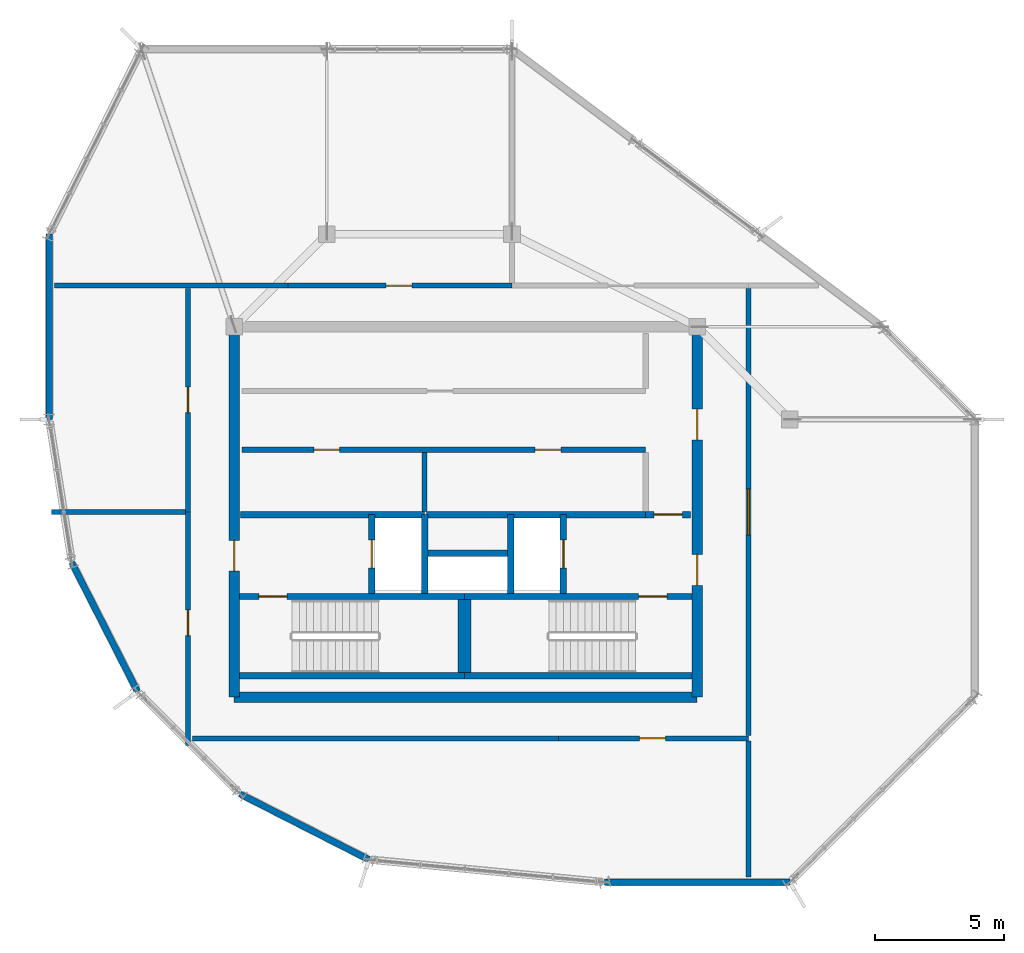
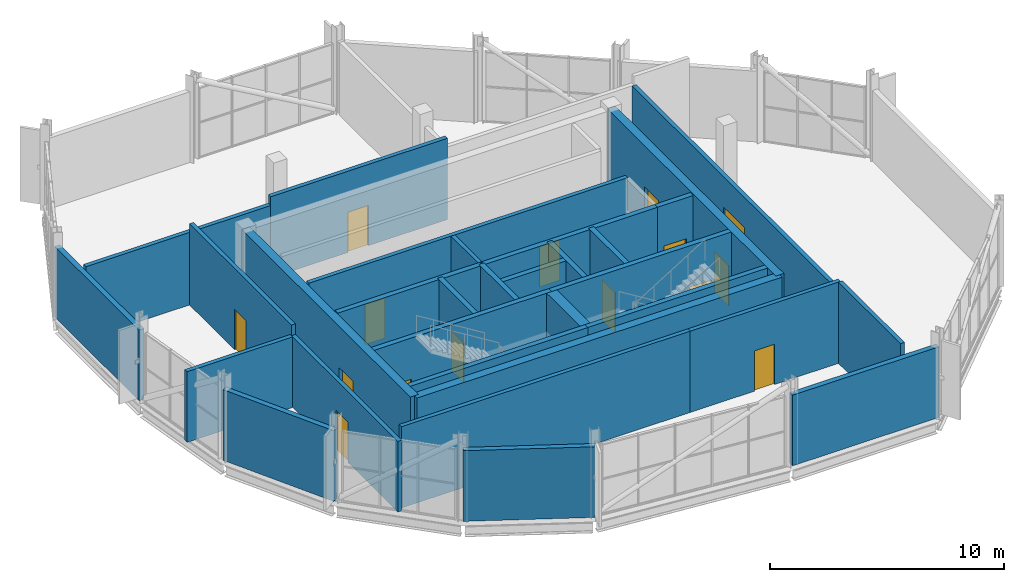
# One storey, part 19 of 22: 31 walls, 15 doors, 15 openings.
"""IFC4 building model written with IfcOpenShell, lengths in metres."""

from ifc_helpers import new_model, si_unit, direction, frame, frame_2d, origin, place, context, subcontext, project, spatial, rectangle, extrude, material, layer, layer_set, type_object, element, fill, save


model = new_model("IFC4")

# Units and contexts
model_context = context("Model", 3, precision=1e-05, world=origin(), true_north=direction((0.0, 1.0)))
body_context = subcontext(model_context, "Body", "Model", "MODEL_VIEW")
ifc_project = project(units=[si_unit("LENGTHUNIT", "METRE"), si_unit("AREAUNIT", "SQUARE_METRE"), si_unit("VOLUMEUNIT", "CUBIC_METRE"), si_unit("PLANEANGLEUNIT", "RADIAN"), si_unit("MASSUNIT", "GRAM", prefix="KILO")], contexts=[model_context])

# Site, building, storey
site_placement = place(None, origin())
site = spatial("IfcSite", under=ifc_project, at=site_placement, CompositionType="ELEMENT")
building_placement = place(site_placement, origin())
building = spatial("IfcBuilding", under=site, at=building_placement, Name="Solnavia Interchange Tower", CompositionType="ELEMENT")
storey_placement = place(building_placement, frame((0.0, 0.0, 317.699951171875)))
storey = spatial("IfcBuildingStorey", under=building, at=storey_placement, Name="C04", CompositionType="ELEMENT", Elevation=317.699951171875)

# Walls
ifc_material_1 = material(Name="Concrete C40/50", Category="concrete")
ifc_layer_1 = layer(ifc_material_1, 0.25)
ifc_layer_set_1 = layer_set([ifc_layer_1], Name="Concrete C40/50")
wall_type_1 = type_object("IfcWallType", Name="Wall-ExtSpandrel-250", PredefinedType="STANDARD", material=ifc_layer_set_1)
wall_1_placement = place(storey_placement, frame((7.199951171875, 28.800048828125, 0.0), z_axis=(0.0, 0.0, 1.0), x_axis=(0.0, -1.0, 0.0)))
element("IfcWall", 1, at=wall_1_placement, inside=storey, type_object=wall_type_1, Name="EXW-C04-R08 Crown ring facade panel", PredefinedType="STANDARD", context=body_context, shape_type="SweptSolid", body=[
    extrude(rectangle(XDim=7.199951171875, YDim=0.25, at=frame_2d((3.60009765625, 0.0))), origin(), (0.0, 0.0, 1.0), 3.679931640625),
])
for number, where, z_axis, x_axis, name in (
    (2, (8.0810546875, 16.0380859375, 0.0), (0.0, 0.0, 1.0), (0.453997861418, -0.891002773187, 0.0), "EXW-C04-R10 Crown ring facade panel"),
    (3, (14.6201171875, 7.0380859375, 0.0), (0.0, 0.0, 1.0), (0.890976300863, -0.454049811475, 0.0), "EXW-C04-R12 Crown ring facade panel"),
):
    element("IfcWall", number, at=place(storey_placement, frame(where, z_axis=z_axis, x_axis=x_axis)), inside=storey, type_object=wall_type_1, Name=name, PredefinedType="STANDARD", context=body_context, shape_type="SweptSolid", body=[
        extrude(rectangle(XDim=5.6318359375, YDim=0.25, at=frame_2d((2.81591796875, 0.0))), origin(), (0.0, 0.0, 1.0), 3.679931640625),
    ])
wall_2_placement = place(storey_placement, frame((28.800048828125, 3.60009765625, 0.0), z_axis=(0.0, 0.0, 1.0), x_axis=(1.0, 0.0, 0.0)))
element("IfcWall", 4, at=wall_2_placement, inside=storey, type_object=wall_type_1, Name="EXW-C04-R14 Crown ring facade panel", PredefinedType="STANDARD", context=body_context, shape_type="SweptSolid", body=[
    extrude(rectangle(XDim=7.199951171875, YDim=0.25, at=frame_2d((3.60009765625, 0.0))), origin(), (0.0, 0.0, 1.0), 3.679931640625),
])

# Wall, openings, doors
ifc_layer_2 = layer(ifc_material_1, 0.199951171875)
ifc_layer_set_2 = layer_set([ifc_layer_2], Name="Concrete C40/50")
wall_type_2 = type_object("IfcWallType", Name="Wall-PlantFire-200", PredefinedType="PARTITIONING", material=ifc_layer_set_2)
wall_3_placement = place(storey_placement, frame((14.699951171875, 20.419921875, 0.0), z_axis=(0.0, 0.0, 1.0), x_axis=(1.0, 0.0, 0.0)))
wall_3 = element("IfcWall", 5, at=wall_3_placement, inside=storey, type_object=wall_type_2, Name="CSW-C04-CR1 Core shaft wall", PredefinedType="PARTITIONING", context=body_context, shape_type="SweptSolid", body=[
    extrude(rectangle(XDim=15.699951171875, YDim=0.199951171875, at=frame_2d((7.85009765625, 0.0))), origin(), (0.0, 0.0, 1.0), 4.235107421875),
])
opening_1_placement = place(wall_3_placement, frame((2.800048828125, 0.0, 0.0)))
opening_1 = element("IfcOpeningElement", 6, at=opening_1_placement, cuts=wall_3, Name="Opening DR-04", PredefinedType="OPENING", context=body_context, shape_type="SweptSolid", body=[
    extrude(rectangle(XDim=1.0, YDim=2.10009765625, at=frame_2d((0.5, 1.050048828125))), frame((0.0, 0.10986328125, 0.0), z_axis=(0.0, -1.0, 0.0), x_axis=(1.0, 0.0, 0.0)), (0.0, 0.0, 1.0), 0.219970703125),
])
opening_2_placement = place(wall_3_placement, frame((11.39990234375, 0.0, 0.0)))
opening_2 = element("IfcOpeningElement", 7, at=opening_2_placement, cuts=wall_3, Name="Opening DR-04", PredefinedType="OPENING", context=body_context, shape_type="SweptSolid", body=[
    extrude(rectangle(XDim=1.0, YDim=2.10009765625, at=frame_2d((0.5, 1.050048828125))), frame((0.0, 0.10986328125, 0.0), z_axis=(0.0, -1.0, 0.0), x_axis=(1.0, 0.0, 0.0)), (0.0, 0.0, 1.0), 0.219970703125),
])
ifc_material_2 = material(Name="Steel Fire-Rated Plant Door", Category="steel")
door_type_1 = type_object("IfcDoorType", Name="Door-PlantFire-1000x2100", OperationType="SINGLE_SWING_LEFT", PredefinedType="DOOR", material=ifc_material_2)
door_1_placement = place(opening_1_placement, origin())
door_1 = element("IfcDoor", 8, at=door_1_placement, inside=storey, type_object=door_type_1, Name="DR-C04-CR1 Core fire door", OperationType="SINGLE_SWING_LEFT", OverallHeight=2.10009765625, OverallWidth=1.0, PredefinedType="DOOR", context=body_context, shape_type="SweptSolid", body=[
    extrude(rectangle(XDim=1.0, YDim=2.10009765625, at=frame_2d((0.5, 1.050048828125))), frame((0.0, 0.02490234375, 0.0), z_axis=(0.0, -1.0, 0.0), x_axis=(1.0, 0.0, 0.0)), (0.0, 0.0, 1.0), 0.050048828125),
])
fill(opening_1, door_1)
door_2_placement = place(opening_2_placement, origin())
door_2 = element("IfcDoor", 9, at=door_2_placement, inside=storey, type_object=door_type_1, Name="DR-C04-CR2 Core fire door", OperationType="SINGLE_SWING_RIGHT", OverallHeight=2.10009765625, OverallWidth=1.0, PredefinedType="DOOR", context=body_context, shape_type="SweptSolid", body=[
    extrude(rectangle(XDim=1.0, YDim=2.10009765625, at=frame_2d((0.5, 1.050048828125))), frame((0.0, 0.02490234375, 0.0), z_axis=(0.0, -1.0, 0.0), x_axis=(1.0, 0.0, 0.0)), (0.0, 0.0, 1.0), 0.050048828125),
])
fill(opening_2, door_2)

# Wall
wall_4_placement = place(storey_placement, frame((21.800048828125, 18.02001953125, 0.0), z_axis=(0.0, 0.0, 1.0), x_axis=(0.0, 1.0, 0.0)))
element("IfcWall", 10, at=wall_4_placement, inside=storey, type_object=wall_type_2, Name="CSW-C04-CR3 Core shaft wall", PredefinedType="PARTITIONING", context=body_context, shape_type="SweptSolid", body=[
    extrude(rectangle(XDim=2.300048828125, YDim=0.199951171875, at=frame_2d((1.14990234375, 0.0))), origin(), (0.0, 0.0, 1.0), 4.235107421875),
])

# Wall, opening, door
wall_5_placement = place(storey_placement, frame((16.5, 26.800048828125, 0.0), z_axis=(0.0, 0.0, 1.0), x_axis=(1.0, 0.0, 0.0)))
wall_5 = element("IfcWall", 11, at=wall_5_placement, inside=storey, type_object=wall_type_2, Name="PTW-C04-01 Interior partition wall", PredefinedType="PARTITIONING", context=body_context, shape_type="SweptSolid", body=[
    extrude(rectangle(XDim=8.699951171875, YDim=0.199951171875, at=frame_2d((4.35009765625, 0.0))), origin(), (0.0, 0.0, 1.0), 4.235107421875),
])
opening_3_placement = place(wall_5_placement, frame((3.81005859375, 0.0, 0.0)))
opening_3 = element("IfcOpeningElement", 12, at=opening_3_placement, cuts=wall_5, Name="Opening DR-04", PredefinedType="OPENING", context=body_context, shape_type="SweptSolid", body=[
    extrude(rectangle(XDim=1.0, YDim=2.10009765625, at=frame_2d((0.5, 1.050048828125))), frame((0.0, 0.10986328125, 0.0), z_axis=(0.0, -1.0, 0.0), x_axis=(1.0, 0.0, 0.0)), (0.0, 0.0, 1.0), 0.219970703125),
])
door_3_placement = place(opening_3_placement, origin())
door_3 = element("IfcDoor", 13, at=door_3_placement, inside=storey, type_object=door_type_1, Name="DR-C04-01 Interior room door", OperationType="SINGLE_SWING_LEFT", OverallHeight=2.10009765625, OverallWidth=1.0, PredefinedType="DOOR", context=body_context, shape_type="SweptSolid", body=[
    extrude(rectangle(XDim=1.0, YDim=2.10009765625, at=frame_2d((0.5, 1.050048828125))), frame((0.0, 0.02490234375, 0.0), z_axis=(0.0, -1.0, 0.0), x_axis=(1.0, 0.0, 0.0)), (0.0, 0.0, 1.0), 0.050048828125),
])
fill(opening_3, door_3)

# Wall
wall_6_placement = place(storey_placement, frame((7.405029296875, 26.800048828125, 0.0), z_axis=(0.0, 0.0, 1.0), x_axis=(1.0, 0.0, 0.0)))
element("IfcWall", 14, at=wall_6_placement, inside=storey, type_object=wall_type_2, Name="PTW-C04-03 Interior partition wall", PredefinedType="PARTITIONING", context=body_context, shape_type="SweptSolid", body=[
    extrude(rectangle(XDim=9.094970703125, YDim=0.199951171875, at=frame_2d((4.54736328125, 0.0))), origin(), (0.0, 0.0, 1.0), 3.780029296875),
])

# Wall, opening, door
wall_7_placement = place(storey_placement, frame((12.60009765625, 8.916015625, 0.0), z_axis=(0.0, 0.0, 1.0), x_axis=(0.0, 1.0, 0.0)))
wall_7 = element("IfcWall", 15, at=wall_7_placement, inside=storey, type_object=wall_type_2, Name="PTW-C04-06 Interior partition wall", PredefinedType="PARTITIONING", context=body_context, shape_type="SweptSolid", body=[
    extrude(rectangle(XDim=9.083984375, YDim=0.199951171875, at=frame_2d((4.5419921875, 0.0))), origin(), (0.0, 0.0, 1.0), 3.679931640625),
])
opening_4_placement = place(wall_7_placement, frame((4.281005859375, 0.0, 0.0)))
opening_4 = element("IfcOpeningElement", 16, at=opening_4_placement, cuts=wall_7, Name="Opening DR-04", PredefinedType="OPENING", context=body_context, shape_type="SweptSolid", body=[
    extrude(rectangle(XDim=1.0, YDim=2.10009765625, at=frame_2d((0.5, 1.050048828125))), frame((0.0, 0.10986328125, 0.0), z_axis=(0.0, -1.0, 0.0), x_axis=(1.0, 0.0, 0.0)), (0.0, 0.0, 1.0), 0.219970703125),
])
door_4_placement = place(opening_4_placement, origin())
door_4 = element("IfcDoor", 17, at=door_4_placement, inside=storey, type_object=door_type_1, Name="DR-C04-03 Interior room door", OperationType="SINGLE_SWING_LEFT", OverallHeight=2.10009765625, OverallWidth=1.0, PredefinedType="DOOR", context=body_context, shape_type="SweptSolid", body=[
    extrude(rectangle(XDim=1.0, YDim=2.10009765625, at=frame_2d((0.5, 1.050048828125))), frame((0.0, 0.02490234375, 0.0), z_axis=(0.0, -1.0, 0.0), x_axis=(1.0, 0.0, 0.0)), (0.0, 0.0, 1.0), 0.050048828125),
])
fill(opening_4, door_4)

# Wall
wall_8_placement = place(storey_placement, frame((12.49609375, 18.0, 0.0), z_axis=(0.0, 0.0, 1.0), x_axis=(-1.0, 0.0, 0.0)))
element("IfcWall", 18, at=wall_8_placement, inside=storey, type_object=wall_type_2, Name="PTW-C04-07 Interior partition wall", PredefinedType="PARTITIONING", context=body_context, shape_type="SweptSolid", body=[
    extrude(rectangle(XDim=5.196044921875, YDim=0.199951171875, at=frame_2d((2.59814453125, 0.0))), origin(), (0.0, 0.0, 1.0), 3.679931640625),
])

# Wall, opening, door
wall_9_placement = place(storey_placement, frame((12.60009765625, 18.0, 0.0), z_axis=(0.0, 0.0, 1.0), x_axis=(0.0, 1.0, 0.0)))
wall_9 = element("IfcWall", 19, at=wall_9_placement, inside=storey, type_object=wall_type_2, Name="PTW-C04-08 Interior partition wall", PredefinedType="PARTITIONING", context=body_context, shape_type="SweptSolid", body=[
    extrude(rectangle(XDim=8.696044921875, YDim=0.199951171875, at=frame_2d((4.34814453125, 0.0))), origin(), (0.0, 0.0, 1.0), 4.235107421875),
])
opening_5_placement = place(wall_9_placement, frame((3.860107421875, 0.0, 0.0)))
opening_5 = element("IfcOpeningElement", 20, at=opening_5_placement, cuts=wall_9, Name="Opening DR-04", PredefinedType="OPENING", context=body_context, shape_type="SweptSolid", body=[
    extrude(rectangle(XDim=1.0, YDim=2.10009765625, at=frame_2d((0.5, 1.050048828125))), frame((0.0, 0.10986328125, 0.0), z_axis=(0.0, -1.0, 0.0), x_axis=(1.0, 0.0, 0.0)), (0.0, 0.0, 1.0), 0.219970703125),
])
door_5_placement = place(opening_5_placement, origin())
door_5 = element("IfcDoor", 21, at=door_5_placement, inside=storey, type_object=door_type_1, Name="DR-C04-04 Interior room door", OperationType="SINGLE_SWING_RIGHT", OverallHeight=2.10009765625, OverallWidth=1.0, PredefinedType="DOOR", context=body_context, shape_type="SweptSolid", body=[
    extrude(rectangle(XDim=1.0, YDim=2.10009765625, at=frame_2d((0.5, 1.050048828125))), frame((0.0, 0.02490234375, 0.0), z_axis=(0.0, -1.0, 0.0), x_axis=(1.0, 0.0, 0.0)), (0.0, 0.0, 1.0), 0.050048828125),
])
fill(opening_5, door_5)

# Wall
wall_10_placement = place(storey_placement, frame((12.780029296875, 9.199951171875, 0.0), z_axis=(0.0, 0.0, 1.0), x_axis=(1.0, 0.0, 0.0)))
element("IfcWall", 22, at=wall_10_placement, inside=storey, type_object=wall_type_2, Name="PTW-C04-09 Interior partition wall", PredefinedType="PARTITIONING", context=body_context, shape_type="SweptSolid", body=[
    extrude(rectangle(XDim=14.219970703125, YDim=0.199951171875, at=frame_2d((7.10986328125, 0.0))), origin(), (0.0, 0.0, 1.0), 4.235107421875),
])

# Wall, opening, door
wall_11_placement = place(storey_placement, frame((27.0, 9.199951171875, 0.0), z_axis=(0.0, 0.0, 1.0), x_axis=(1.0, 0.0, 0.0)))
wall_11 = element("IfcWall", 23, at=wall_11_placement, inside=storey, type_object=wall_type_2, Name="PTW-C04-10 Interior partition wall", PredefinedType="PARTITIONING", context=body_context, shape_type="SweptSolid", body=[
    extrude(rectangle(XDim=7.39990234375, YDim=0.199951171875, at=frame_2d((3.699951171875, 0.0))), origin(), (0.0, 0.0, 1.0), 4.235107421875),
])
opening_6_placement = place(wall_11_placement, frame((3.159912109375, 0.0, 0.0)))
opening_6 = element("IfcOpeningElement", 24, at=opening_6_placement, cuts=wall_11, Name="Opening DR-04", PredefinedType="OPENING", context=body_context, shape_type="SweptSolid", body=[
    extrude(rectangle(XDim=1.0, YDim=2.10009765625, at=frame_2d((0.5, 1.050048828125))), frame((0.0, 0.10986328125, 0.0), z_axis=(0.0, -1.0, 0.0), x_axis=(1.0, 0.0, 0.0)), (0.0, 0.0, 1.0), 0.219970703125),
])
door_6_placement = place(opening_6_placement, origin())
door_6 = element("IfcDoor", 25, at=door_6_placement, inside=storey, type_object=door_type_1, Name="DR-C04-05 Interior room door", OperationType="SINGLE_SWING_RIGHT", OverallHeight=2.10009765625, OverallWidth=1.0, PredefinedType="DOOR", context=body_context, shape_type="SweptSolid", body=[
    extrude(rectangle(XDim=1.0, YDim=2.10009765625, at=frame_2d((0.5, 1.050048828125))), frame((0.0, 0.02490234375, 0.0), z_axis=(0.0, -1.0, 0.0), x_axis=(1.0, 0.0, 0.0)), (0.0, 0.0, 1.0), 0.050048828125),
])
fill(opening_6, door_6)

# Wall
wall_12_placement = place(storey_placement, frame((34.39990234375, 3.804931640625, 0.0), z_axis=(0.0, 0.0, 1.0), x_axis=(0.0, 1.0, 0.0)))
element("IfcWall", 26, at=wall_12_placement, inside=storey, type_object=wall_type_2, Name="PTW-C04-11 Interior partition wall", PredefinedType="PARTITIONING", context=body_context, shape_type="SweptSolid", body=[
    extrude(rectangle(XDim=5.291015625, YDim=0.199951171875, at=frame_2d((2.6455078125, 0.0))), origin(), (0.0, 0.0, 1.0), 4.235107421875),
])

# Wall, opening, door
wall_13_placement = place(storey_placement, frame((34.39990234375, 9.303955078125, 0.0), z_axis=(0.0, 0.0, 1.0), x_axis=(0.0, 1.0, 0.0)))
wall_13 = element("IfcWall", 27, at=wall_13_placement, inside=storey, type_object=wall_type_2, Name="PTW-C04-12 Interior partition wall", PredefinedType="PARTITIONING", context=body_context, shape_type="SweptSolid", body=[
    extrude(rectangle(XDim=17.39208984375, YDim=0.199951171875, at=frame_2d((8.696044921875, 0.0))), origin(), (0.0, 0.0, 1.0), 3.780029296875),
])
opening_7_placement = place(wall_13_placement, frame((7.7958984375, 0.0, 0.0)))
opening_7 = element("IfcOpeningElement", 28, at=opening_7_placement, cuts=wall_13, Name="Opening DR-05", PredefinedType="OPENING", context=body_context, shape_type="SweptSolid", body=[
    extrude(rectangle(XDim=1.800048828125, YDim=2.199951171875, at=frame_2d((0.89990234375, 1.10009765625))), frame((0.0, 0.10986328125, 0.0), z_axis=(0.0, -1.0, 0.0), x_axis=(1.0, 0.0, 0.0)), (0.0, 0.0, 1.0), 0.219970703125),
])
ifc_material_3 = material(Name="Steel Double Fire Door", Category="steel")
door_type_2 = type_object("IfcDoorType", Name="Door-PlantDouble-1800x2200", OperationType="DOUBLE_DOOR_SINGLE_SWING", PredefinedType="DOOR", material=ifc_material_3)
door_7_placement = place(opening_7_placement, origin())
door_7 = element("IfcDoor", 29, at=door_7_placement, inside=storey, type_object=door_type_2, Name="DR-C04-06 Interior room door", OperationType="DOUBLE_DOOR_SINGLE_SWING", OverallHeight=2.199951171875, OverallWidth=1.800048828125, PredefinedType="DOOR", context=body_context, shape_type="SweptSolid", body=[
    extrude(rectangle(XDim=1.800048828125, YDim=2.199951171875, at=frame_2d((0.89990234375, 1.10009765625))), frame((0.0, 0.02490234375, 0.0), z_axis=(0.0, -1.0, 0.0), x_axis=(1.0, 0.0, 0.0)), (0.0, 0.0, 1.0), 0.050048828125),
])
fill(opening_7, door_7)

# Wall
ifc_layer_3 = layer(ifc_material_1, 0.25)
ifc_layer_set_3 = layer_set([ifc_layer_3], Name="Concrete C40/50")
wall_type_3 = type_object("IfcWallType", Name="Wall-ShaftCore-250", PredefinedType="SHEAR", material=ifc_layer_set_3)
wall_14_placement = place(storey_placement, frame((14.60009765625, 11.625, 0.0), z_axis=(0.0, 0.0, 1.0), x_axis=(1.0, 0.0, 0.0)))
element("IfcWall", 30, at=wall_14_placement, inside=storey, type_object=wall_type_3, Name="SHW-C04-ST1S Core shear wall", PredefinedType="SHEAR", context=body_context, shape_type="SweptSolid", body=[
    extrude(rectangle(XDim=8.75, YDim=0.25, at=frame_2d((4.375, 0.0))), origin(), (0.0, 0.0, 1.0), 4.25),
])

# Wall, opening, door
wall_15_placement = place(storey_placement, frame((14.60009765625, 14.715087890625, 0.0), z_axis=(0.0, 0.0, 1.0), x_axis=(1.0, 0.0, 0.0)))
wall_15 = element("IfcWall", 31, at=wall_15_placement, inside=storey, type_object=wall_type_3, Name="SHW-C04-ST1N Core shear wall", PredefinedType="SHEAR", context=body_context, shape_type="SweptSolid", body=[
    extrude(rectangle(XDim=8.75, YDim=0.25, at=frame_2d((4.375, 0.0))), origin(), (0.0, 0.0, 1.0), 4.25),
])
opening_8_placement = place(wall_15_placement, frame((0.7548828125, 0.0, 0.0)))
opening_8 = element("IfcOpeningElement", 32, at=opening_8_placement, cuts=wall_15, Name="Opening DR-01", PredefinedType="OPENING", context=body_context, shape_type="SweptSolid", body=[
    extrude(rectangle(XDim=1.10009765625, YDim=2.10009765625, at=frame_2d((0.550048828125, 1.050048828125))), frame((0.0, 0.135009765625, 0.0), z_axis=(0.0, -1.0, 0.0), x_axis=(1.0, 0.0, 0.0)), (0.0, 0.0, 1.0), 0.27001953125),
])
ifc_material_4 = material(Name="Steel Fire-Rated Leaf & Frame", Category="steel")
door_type_3 = type_object("IfcDoorType", Name="Door-StairFire-1100x2100", OperationType="SINGLE_SWING_LEFT", PredefinedType="DOOR", material=ifc_material_4)
door_8_placement = place(opening_8_placement, origin())
door_8 = element("IfcDoor", 33, at=door_8_placement, inside=storey, type_object=door_type_3, Name="DR-C04-ST1 Core fire door", OperationType="SINGLE_SWING_LEFT", OverallHeight=2.10009765625, OverallWidth=1.10009765625, PredefinedType="DOOR", context=body_context, shape_type="SweptSolid", body=[
    extrude(rectangle(XDim=1.10009765625, YDim=2.10009765625, at=frame_2d((0.550048828125, 1.050048828125))), frame((0.0, 0.02490234375, 0.0), z_axis=(0.0, -1.0, 0.0), x_axis=(1.0, 0.0, 0.0)), (0.0, 0.0, 1.0), 0.050048828125),
])
fill(opening_8, door_8)

# Wall
wall_16_placement = place(storey_placement, frame((23.35009765625, 11.625, 0.0), z_axis=(0.0, 0.0, 1.0), x_axis=(1.0, 0.0, 0.0)))
element("IfcWall", 34, at=wall_16_placement, inside=storey, type_object=wall_type_3, Name="SHW-C04-ST2S Core shear wall", PredefinedType="SHEAR", context=body_context, shape_type="SweptSolid", body=[
    extrude(rectangle(XDim=8.849853515625, YDim=0.25, at=frame_2d((4.4248046875, 0.0))), origin(), (0.0, 0.0, 1.0), 4.25),
])

# Wall, opening, door
wall_17_placement = place(storey_placement, frame((23.35009765625, 14.715087890625, 0.0), z_axis=(0.0, 0.0, 1.0), x_axis=(1.0, 0.0, 0.0)))
wall_17 = element("IfcWall", 35, at=wall_17_placement, inside=storey, type_object=wall_type_3, Name="SHW-C04-ST2N Core shear wall", PredefinedType="SHEAR", context=body_context, shape_type="SweptSolid", body=[
    extrude(rectangle(XDim=8.849853515625, YDim=0.25, at=frame_2d((4.4248046875, 0.0))), origin(), (0.0, 0.0, 1.0), 4.25),
])
opening_9_placement = place(wall_17_placement, frame((6.77490234375, 0.0, 0.0)))
opening_9 = element("IfcOpeningElement", 36, at=opening_9_placement, cuts=wall_17, Name="Opening DR-01", PredefinedType="OPENING", context=body_context, shape_type="SweptSolid", body=[
    extrude(rectangle(XDim=1.10009765625, YDim=2.10009765625, at=frame_2d((0.550048828125, 1.050048828125))), frame((0.0, 0.135009765625, 0.0), z_axis=(0.0, -1.0, 0.0), x_axis=(1.0, 0.0, 0.0)), (0.0, 0.0, 1.0), 0.27001953125),
])
door_9_placement = place(opening_9_placement, origin())
door_9 = element("IfcDoor", 37, at=door_9_placement, inside=storey, type_object=door_type_3, Name="DR-C04-ST2 Core fire door", OperationType="SINGLE_SWING_LEFT", OverallHeight=2.10009765625, OverallWidth=1.10009765625, PredefinedType="DOOR", context=body_context, shape_type="SweptSolid", body=[
    extrude(rectangle(XDim=1.10009765625, YDim=2.10009765625, at=frame_2d((0.550048828125, 1.050048828125))), frame((0.0, 0.02490234375, 0.0), z_axis=(0.0, -1.0, 0.0), x_axis=(1.0, 0.0, 0.0)), (0.0, 0.0, 1.0), 0.050048828125),
])
fill(opening_9, door_9)

# Wall
ifc_layer_4 = layer(ifc_material_1, 0.25)
ifc_layer_set_4 = layer_set([ifc_layer_4], Name="Concrete C40/50")
wall_type_4 = type_object("IfcWallType", Name="Wall-ShaftPart-250", PredefinedType="PARTITIONING", material=ifc_layer_set_4)
wall_18_placement = place(storey_placement, frame((14.64990234375, 17.89990234375, 0.0), z_axis=(0.0, 0.0, 1.0), x_axis=(1.0, 0.0, 0.0)))
element("IfcWall", 38, at=wall_18_placement, inside=storey, type_object=wall_type_4, Name="SHW-C04-FFLW-N Core shaft wall", PredefinedType="PARTITIONING", context=body_context, shape_type="SweptSolid", body=[
    extrude(rectangle(XDim=7.150146484375, YDim=0.25, at=frame_2d((3.5751953125, 0.0))), origin(), (0.0, 0.0, 1.0), 4.235107421875),
])

# Wall, opening, door
wall_19_placement = place(storey_placement, frame((19.75, 14.840087890625, 0.0), z_axis=(0.0, 0.0, 1.0), x_axis=(0.0, 1.0, 0.0)))
wall_19 = element("IfcWall", 39, at=wall_19_placement, inside=storey, type_object=wall_type_4, Name="SHW-C04-FFL1-W Core shaft wall", PredefinedType="PARTITIONING", context=body_context, shape_type="SweptSolid", body=[
    extrude(rectangle(XDim=3.059814453125, YDim=0.25, at=frame_2d((1.52978515625, 0.0))), origin(), (0.0, 0.0, 1.0), 4.235107421875),
])
opening_10_placement = place(wall_19_placement, frame((0.97998046875, 0.0, 0.0)))
opening_10 = element("IfcOpeningElement", 40, at=opening_10_placement, cuts=wall_19, Name="Opening LD-01", PredefinedType="OPENING", context=body_context, shape_type="SweptSolid", body=[
    extrude(rectangle(XDim=1.10009765625, YDim=2.10009765625, at=frame_2d((0.550048828125, 1.050048828125))), frame((0.0, 0.135009765625, 0.0), z_axis=(0.0, -1.0, 0.0), x_axis=(1.0, 0.0, 0.0)), (0.0, 0.0, 1.0), 0.27001953125),
])
ifc_material_5 = material(Name="Brushed Stainless Steel Sliding Door", Category="steel")
door_type_4 = type_object("IfcDoorType", Name="Door-LiftLanding-1100x2100", OperationType="SLIDING_TO_LEFT", PredefinedType="DOOR", material=ifc_material_5)
door_10_placement = place(opening_10_placement, origin())
door_10 = element("IfcDoor", 41, at=door_10_placement, inside=storey, type_object=door_type_4, Name="LD-C04-FFL1 Lift landing sliding door", OperationType="SLIDING_TO_LEFT", OverallHeight=2.10009765625, OverallWidth=1.10009765625, PredefinedType="DOOR", context=body_context, shape_type="SweptSolid", body=[
    extrude(rectangle(XDim=1.10009765625, YDim=2.10009765625, at=frame_2d((0.550048828125, 1.050048828125))), frame((0.0, 0.02490234375, 0.0), z_axis=(0.0, -1.0, 0.0), x_axis=(1.0, 0.0, 0.0)), (0.0, 0.0, 1.0), 0.050048828125),
])
fill(opening_10, door_10)

# Walls
wall_20_placement = place(storey_placement, frame((21.800048828125, 14.840087890625, 0.0), z_axis=(0.0, 0.0, 1.0), x_axis=(0.0, 1.0, 0.0)))
element("IfcWall", 42, at=wall_20_placement, inside=storey, type_object=wall_type_4, Name="SHW-C04-FFL1-E Core shaft wall", PredefinedType="PARTITIONING", context=body_context, shape_type="SweptSolid", body=[
    extrude(rectangle(XDim=3.059814453125, YDim=0.25, at=frame_2d((1.52978515625, 0.0))), origin(), (0.0, 0.0, 1.0), 4.235107421875),
])
wall_21_placement = place(storey_placement, frame((21.8798828125, 17.89990234375, 0.0), z_axis=(0.0, 0.0, 1.0), x_axis=(1.0, 0.0, 0.0)))
element("IfcWall", 43, at=wall_21_placement, inside=storey, type_object=wall_type_4, Name="SHW-C04-FFLE-N1 Core shaft wall", PredefinedType="PARTITIONING", context=body_context, shape_type="SweptSolid", body=[
    extrude(rectangle(XDim=8.52001953125, YDim=0.25, at=frame_2d((4.260009765625, 0.0))), origin(), (0.0, 0.0, 1.0), 4.235107421875),
])

# Wall, opening, door
wall_22_placement = place(storey_placement, frame((30.39990234375, 17.89990234375, 0.0), z_axis=(0.0, 0.0, 1.0), x_axis=(1.0, 0.0, 0.0)))
wall_22 = element("IfcWall", 44, at=wall_22_placement, inside=storey, type_object=wall_type_4, Name="SHW-C04-FFLE-N2 Core shaft wall", PredefinedType="PARTITIONING", context=body_context, shape_type="SweptSolid", body=[
    extrude(rectangle(XDim=1.75, YDim=0.25, at=frame_2d((0.875, 0.0))), origin(), (0.0, 0.0, 1.0), 4.235107421875),
])
opening_11_placement = place(wall_22_placement, frame((0.320068359375, 0.0, 0.0)))
opening_11 = element("IfcOpeningElement", 45, at=opening_11_placement, cuts=wall_22, Name="Opening DR-01", PredefinedType="OPENING", context=body_context, shape_type="SweptSolid", body=[
    extrude(rectangle(XDim=1.10009765625, YDim=2.10009765625, at=frame_2d((0.550048828125, 1.050048828125))), frame((0.0, 0.135009765625, 0.0), z_axis=(0.0, -1.0, 0.0), x_axis=(1.0, 0.0, 0.0)), (0.0, 0.0, 1.0), 0.27001953125),
])
door_11_placement = place(opening_11_placement, origin())
door_11 = element("IfcDoor", 46, at=door_11_placement, inside=storey, type_object=door_type_3, Name="DR-C04-LLC Core fire door", OperationType="SINGLE_SWING_LEFT", OverallHeight=2.10009765625, OverallWidth=1.10009765625, PredefinedType="DOOR", context=body_context, shape_type="SweptSolid", body=[
    extrude(rectangle(XDim=1.10009765625, YDim=2.10009765625, at=frame_2d((0.550048828125, 1.050048828125))), frame((0.0, 0.02490234375, 0.0), z_axis=(0.0, -1.0, 0.0), x_axis=(1.0, 0.0, 0.0)), (0.0, 0.0, 1.0), 0.050048828125),
])
fill(opening_11, door_11)

# Wall
wall_23_placement = place(storey_placement, frame((25.14990234375, 14.840087890625, 0.0), z_axis=(0.0, 0.0, 1.0), x_axis=(0.0, 1.0, 0.0)))
element("IfcWall", 47, at=wall_23_placement, inside=storey, type_object=wall_type_4, Name="SHW-C04-FFL2-W Core shaft wall", PredefinedType="PARTITIONING", context=body_context, shape_type="SweptSolid", body=[
    extrude(rectangle(XDim=3.059814453125, YDim=0.25, at=frame_2d((1.52978515625, 0.0))), origin(), (0.0, 0.0, 1.0), 4.235107421875),
])

# Wall, opening, door
wall_24_placement = place(storey_placement, frame((27.199951171875, 14.840087890625, 0.0), z_axis=(0.0, 0.0, 1.0), x_axis=(0.0, 1.0, 0.0)))
wall_24 = element("IfcWall", 48, at=wall_24_placement, inside=storey, type_object=wall_type_4, Name="SHW-C04-FFL2-E Core shaft wall", PredefinedType="PARTITIONING", context=body_context, shape_type="SweptSolid", body=[
    extrude(rectangle(XDim=3.059814453125, YDim=0.25, at=frame_2d((1.52978515625, 0.0))), origin(), (0.0, 0.0, 1.0), 4.235107421875),
])
opening_12_placement = place(wall_24_placement, frame((0.97998046875, 0.0, 0.0)))
opening_12 = element("IfcOpeningElement", 49, at=opening_12_placement, cuts=wall_24, Name="Opening LD-01", PredefinedType="OPENING", context=body_context, shape_type="SweptSolid", body=[
    extrude(rectangle(XDim=1.10009765625, YDim=2.10009765625, at=frame_2d((0.550048828125, 1.050048828125))), frame((0.0, 0.135009765625, 0.0), z_axis=(0.0, -1.0, 0.0), x_axis=(1.0, 0.0, 0.0)), (0.0, 0.0, 1.0), 0.27001953125),
])
door_12_placement = place(opening_12_placement, origin())
door_12 = element("IfcDoor", 50, at=door_12_placement, inside=storey, type_object=door_type_4, Name="LD-C04-FFL2 Lift landing sliding door", OperationType="SLIDING_TO_LEFT", OverallHeight=2.10009765625, OverallWidth=1.10009765625, PredefinedType="DOOR", context=body_context, shape_type="SweptSolid", body=[
    extrude(rectangle(XDim=1.10009765625, YDim=2.10009765625, at=frame_2d((0.550048828125, 1.050048828125))), frame((0.0, 0.02490234375, 0.0), z_axis=(0.0, -1.0, 0.0), x_axis=(1.0, 0.0, 0.0)), (0.0, 0.0, 1.0), 0.050048828125),
])
fill(opening_12, door_12)

# Walls
wall_25_placement = place(storey_placement, frame((21.800048828125, 16.39990234375, 0.0), z_axis=(0.0, 0.0, 1.0), x_axis=(1.0, 0.0, 0.0)))
element("IfcWall", 51, at=wall_25_placement, inside=storey, type_object=wall_type_4, Name="SHW-C04-MEP-N Core shaft wall", PredefinedType="PARTITIONING", context=body_context, shape_type="SweptSolid", body=[
    extrude(rectangle(XDim=3.349853515625, YDim=0.25, at=frame_2d((1.6748046875, 0.0))), origin(), (0.0, 0.0, 1.0), 4.235107421875),
])
ifc_material_6 = material(Name="Concrete C50/60", Category="concrete")
ifc_layer_5 = layer(ifc_material_6, 0.39990234375)
ifc_layer_set_5 = layer_set([ifc_layer_5], Name="Concrete C50/60")
wall_type_5 = type_object("IfcWallType", Name="Wall-ShearCore-400", PredefinedType="SHEAR", material=ifc_layer_set_5)
wall_26_placement = place(storey_placement, frame((14.39990234375, 10.800048828125, 0.0), z_axis=(0.0, 0.0, 1.0), x_axis=(1.0, 0.0, 0.0)))
element("IfcWall", 52, at=wall_26_placement, inside=storey, type_object=wall_type_5, Name="CRW-C04-S Core shear wall", PredefinedType="SHEAR", context=body_context, shape_type="SweptSolid", body=[
    extrude(rectangle(XDim=18.0, YDim=0.39990234375, at=frame_2d((9.0, 0.0))), origin(), (0.0, 0.0, 1.0), 4.25),
])

# Wall, opening, door
wall_27_placement = place(storey_placement, frame((14.39990234375, 10.800048828125, 0.0), z_axis=(0.0, 0.0, 1.0), x_axis=(0.0, 1.0, 0.0)))
wall_27 = element("IfcWall", 53, at=wall_27_placement, inside=storey, type_object=wall_type_5, Name="CRW-C04-W Core shear wall", PredefinedType="SHEAR", context=body_context, shape_type="SweptSolid", body=[
    extrude(rectangle(XDim=14.39990234375, YDim=0.39990234375, at=frame_2d((7.199951171875, 0.0))), origin(), (0.0, 0.0, 1.0), 4.25),
])
opening_13_placement = place(wall_27_placement, frame((4.89990234375, 0.0, 0.0)))
opening_13 = element("IfcOpeningElement", 54, at=opening_13_placement, cuts=wall_27, Name="Opening DR-02", PredefinedType="OPENING", context=body_context, shape_type="SweptSolid", body=[
    extrude(rectangle(XDim=1.199951171875, YDim=2.10009765625, at=frame_2d((0.60009765625, 1.050048828125))), frame((0.0, 0.2099609375, 0.0), z_axis=(0.0, -1.0, 0.0), x_axis=(1.0, 0.0, 0.0)), (0.0, 0.0, 1.0), 0.419921875),
])
ifc_material_7 = material(Name="Steel Fire-Rated Vision-Panel Door", Category="steel")
door_type_5 = type_object("IfcDoorType", Name="Door-LobbyFire-1200x2100", OperationType="SINGLE_SWING_RIGHT", PredefinedType="DOOR", material=ifc_material_7)
door_13_placement = place(opening_13_placement, origin())
door_13 = element("IfcDoor", 55, at=door_13_placement, inside=storey, type_object=door_type_5, Name="DR-C04-FFL1W Core fire door", OperationType="SINGLE_SWING_RIGHT", OverallHeight=2.10009765625, OverallWidth=1.199951171875, PredefinedType="DOOR", context=body_context, shape_type="SweptSolid", body=[
    extrude(rectangle(XDim=1.199951171875, YDim=2.10009765625, at=frame_2d((0.60009765625, 1.050048828125))), frame((0.0, 0.02490234375, 0.0), z_axis=(0.0, -1.0, 0.0), x_axis=(1.0, 0.0, 0.0)), (0.0, 0.0, 1.0), 0.050048828125),
])
fill(opening_13, door_13)

# Wall, openings, doors
wall_28_placement = place(storey_placement, frame((32.39990234375, 10.800048828125, 0.0), z_axis=(0.0, 0.0, 1.0), x_axis=(0.0, 1.0, 0.0)))
wall_28 = element("IfcWall", 56, at=wall_28_placement, inside=storey, type_object=wall_type_5, Name="CRW-C04-E Core shear wall", PredefinedType="SHEAR", context=body_context, shape_type="SweptSolid", body=[
    extrude(rectangle(XDim=14.39990234375, YDim=0.39990234375, at=frame_2d((7.199951171875, 0.0))), origin(), (0.0, 0.0, 1.0), 4.25),
])
opening_14_placement = place(wall_28_placement, frame((4.35009765625, 0.0, 0.0)))
opening_14 = element("IfcOpeningElement", 57, at=opening_14_placement, cuts=wall_28, Name="Opening DR-02", PredefinedType="OPENING", context=body_context, shape_type="SweptSolid", body=[
    extrude(rectangle(XDim=1.199951171875, YDim=2.10009765625, at=frame_2d((0.60009765625, 1.050048828125))), frame((0.0, 0.2099609375, 0.0), z_axis=(0.0, -1.0, 0.0), x_axis=(1.0, 0.0, 0.0)), (0.0, 0.0, 1.0), 0.419921875),
])
opening_15_placement = place(wall_28_placement, frame((10.0, 0.0, 0.0)))
opening_15 = element("IfcOpeningElement", 58, at=opening_15_placement, cuts=wall_28, Name="Opening DR-02", PredefinedType="OPENING", context=body_context, shape_type="SweptSolid", body=[
    extrude(rectangle(XDim=1.199951171875, YDim=2.10009765625, at=frame_2d((0.60009765625, 1.050048828125))), frame((0.0, 0.2099609375, 0.0), z_axis=(0.0, -1.0, 0.0), x_axis=(1.0, 0.0, 0.0)), (0.0, 0.0, 1.0), 0.419921875),
])
door_14_placement = place(opening_14_placement, origin())
door_14 = element("IfcDoor", 59, at=door_14_placement, inside=storey, type_object=door_type_5, Name="DR-C04-FFL2E Core fire door", OperationType="SINGLE_SWING_LEFT", OverallHeight=2.10009765625, OverallWidth=1.199951171875, PredefinedType="DOOR", context=body_context, shape_type="SweptSolid", body=[
    extrude(rectangle(XDim=1.199951171875, YDim=2.10009765625, at=frame_2d((0.60009765625, 1.050048828125))), frame((0.0, 0.02490234375, 0.0), z_axis=(0.0, -1.0, 0.0), x_axis=(1.0, 0.0, 0.0)), (0.0, 0.0, 1.0), 0.050048828125),
])
fill(opening_14, door_14)
door_15_placement = place(opening_15_placement, origin())
door_15 = element("IfcDoor", 60, at=door_15_placement, inside=storey, type_object=door_type_5, Name="DR-C04-LLE Core fire door", OperationType="SINGLE_SWING_RIGHT", OverallHeight=2.10009765625, OverallWidth=1.199951171875, PredefinedType="DOOR", context=body_context, shape_type="SweptSolid", body=[
    extrude(rectangle(XDim=1.199951171875, YDim=2.10009765625, at=frame_2d((0.60009765625, 1.050048828125))), frame((0.0, 0.02490234375, 0.0), z_axis=(0.0, -1.0, 0.0), x_axis=(1.0, 0.0, 0.0)), (0.0, 0.0, 1.0), 0.050048828125),
])
fill(opening_15, door_15)

# Wall
ifc_material_8 = material(Name="Concrete C60/75", Category="concrete")
ifc_layer_6 = layer(ifc_material_8, 0.5)
ifc_layer_set_6 = layer_set([ifc_layer_6], Name="Concrete C60/75")
wall_type_6 = type_object("IfcWallType", Name="Wall-ShearCore-500", PredefinedType="SHEAR", material=ifc_layer_set_6)
wall_29_placement = place(storey_placement, frame((23.35009765625, 11.75, 0.0), z_axis=(0.0, 0.0, 1.0), x_axis=(0.0, 1.0, 0.0)))
element("IfcWall", 61, at=wall_29_placement, inside=storey, type_object=wall_type_6, Name="SHW-C04-ST12M Core shear wall", PredefinedType="SHEAR", context=body_context, shape_type="SweptSolid", body=[
    extrude(rectangle(XDim=2.840087890625, YDim=0.5, at=frame_2d((1.419921875, 0.0))), origin(), (0.0, 0.0, 1.0), 4.25),
])

save(model, "model.ifc")
